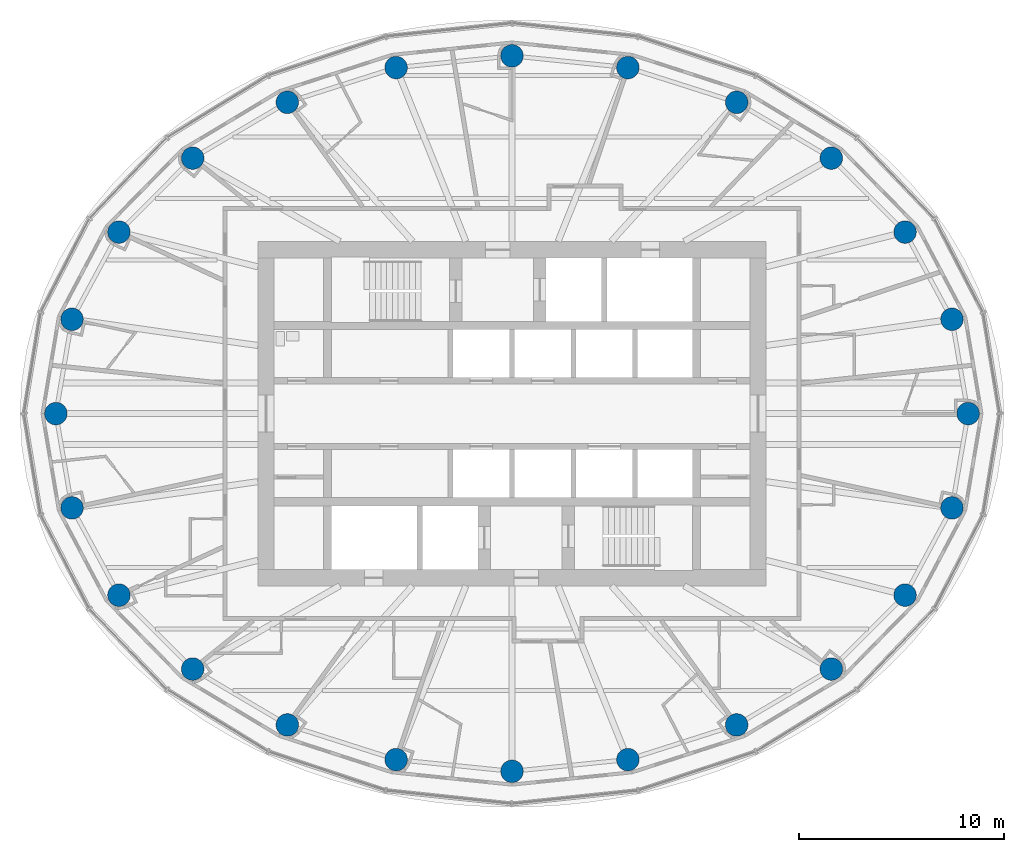
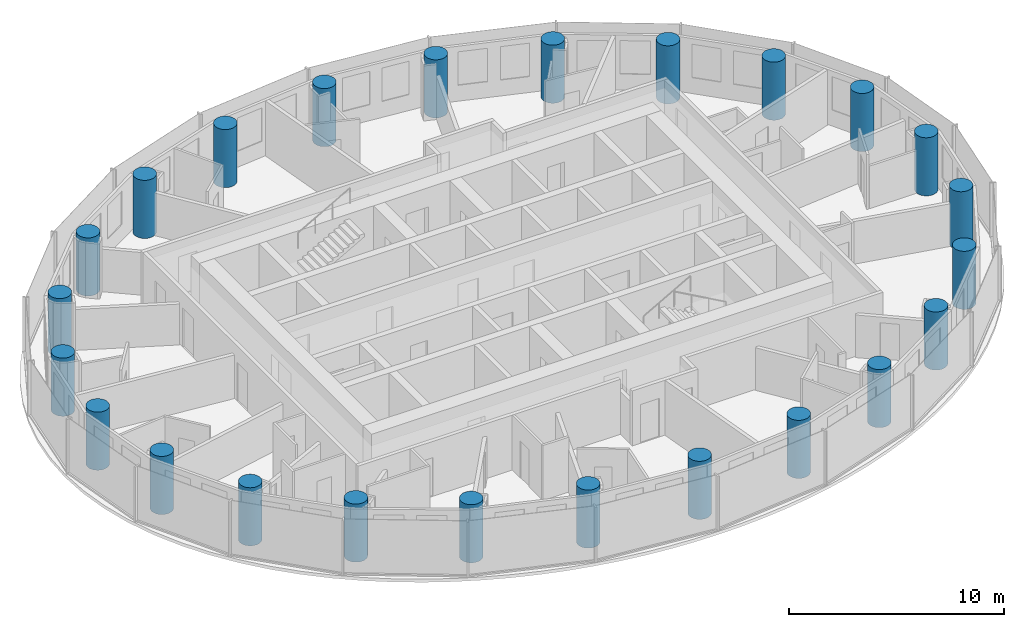
# One storey, part 1 of 14: 24 columns.
"""IFC4 building model written with IfcOpenShell, lengths in metres."""

import ifcopenshell
import ifcopenshell.guid

model = None  # the IFC model being written
_history = None  # IfcOwnerHistory: only IFC2X3 demands one
_inside = {}  # id of a spatial element -> (the spatial element, [elements in it])
_under = {}  # id of a project, library or spatial element -> (it, [spatial elements below it])
_declared = {}  # id of a project -> (the project, [libraries it declares])
_typed = {}  # id of a type object -> (the type object, [elements of that type])
_made_of = {}  # id of a material, layer set ... -> (it, [elements and type objects made of it])


def new_model(schema):
    """Start an empty IFC model of exactly this schema.

    Asked for "IFC4X3", IfcOpenShell would pick the latest addendum, in which some entities
    have other attributes; the version numbers below select the first issue.
    IFC2X3 requires an IfcOwnerHistory on every rooted entity: one is made here for all.
    """
    global model, _history
    if schema == "IFC4X3":
        model = ifcopenshell.file(schema_version=(4, 3, 0, 0))
    else:
        model = ifcopenshell.file(schema=schema)
    _inside.clear()
    _under.clear()
    _declared.clear()
    _typed.clear()
    _made_of.clear()
    _history = None
    if model.schema == "IFC2X3":
        org = make("IfcOrganization", Name="unknown")
        user = make(
            "IfcPersonAndOrganization",
            ThePerson=make("IfcPerson", FamilyName="unknown"),
            TheOrganization=org,
        )
        app = make(
            "IfcApplication",
            ApplicationDeveloper=org,
            Version="unknown",
            ApplicationFullName="unknown",
            ApplicationIdentifier="unknown",
        )
        _history = make(
            "IfcOwnerHistory",
            OwningUser=user,
            OwningApplication=app,
            ChangeAction="ADDED",
            CreationDate=0,
        )
    return model


def make(cls, **values):
    """One entity of the class cls with the attributes given. An attribute that is None is left unset."""
    return model.create_entity(
        cls, **{name: value for name, value in values.items() if value is not None}
    )


def rooted(cls, **values):
    """An entity with a GlobalId (a new one), such as an element, a storey or a relation."""
    return make(cls, GlobalId=ifcopenshell.guid.new(), OwnerHistory=_history, **values)


def si_unit(unit_type, name, prefix=None):
    """IfcSIUnit, for example si_unit("LENGTHUNIT", "METRE", prefix="MILLI")."""
    return make("IfcSIUnit", UnitType=unit_type, Prefix=prefix, Name=name)


def assignment(units):
    """IfcUnitAssignment: the units of a project."""
    return None if units is None else make("IfcUnitAssignment", Units=units)


def point(xyz):
    """IfcCartesianPoint."""
    return None if xyz is None else make("IfcCartesianPoint", Coordinates=xyz)


def direction(xyz):
    """IfcDirection."""
    return None if xyz is None else make("IfcDirection", DirectionRatios=xyz)


def frame(location, z_axis=None, x_axis=None):
    """IfcAxis2Placement3D, a coordinate frame: its origin and axes. An axis left out is left unset."""
    return make(
        "IfcAxis2Placement3D",
        Location=point(location),
        Axis=direction(z_axis),
        RefDirection=direction(x_axis),
    )


def frame_2d(location, x_axis=None):
    """IfcAxis2Placement2D, a coordinate frame in the plane: its origin and x axis."""
    return make(
        "IfcAxis2Placement2D", Location=point(location), RefDirection=direction(x_axis)
    )


def origin():
    """The frame at (0, 0, 0) with its axes left unset."""
    return frame((0.0, 0.0, 0.0))


def origin_2d():
    """The frame at (0, 0) in the plane with its x axis left unset."""
    return frame_2d((0.0, 0.0))


def place(relative_to, where):
    """IfcLocalPlacement: puts the frame where relative to a parent placement (None: the world)."""
    return make(
        "IfcLocalPlacement", PlacementRelTo=relative_to, RelativePlacement=where
    )


def context(
    kind, dimensions, precision=None, world=None, true_north=None, identifier=None
):
    """IfcGeometricRepresentationContext, for example the 3D "Model" context."""
    return make(
        "IfcGeometricRepresentationContext",
        ContextIdentifier=identifier,
        ContextType=kind,
        CoordinateSpaceDimension=dimensions,
        Precision=precision,
        WorldCoordinateSystem=world,
        TrueNorth=true_north,
    )


def subcontext(parent, identifier, kind, view, scale=None):
    """IfcGeometricRepresentationSubContext, for example "Body" below "Model"."""
    return make(
        "IfcGeometricRepresentationSubContext",
        ContextIdentifier=identifier,
        ContextType=kind,
        ParentContext=parent,
        TargetScale=scale,
        TargetView=view,
    )


def project(units=None, contexts=None):
    """IfcProject with its units and contexts."""
    return rooted(
        "IfcProject",
        Name="project",
        RepresentationContexts=contexts,
        UnitsInContext=assignment(units),
    )


def spatial(cls, under=None, at=None, **own):
    """A site, building, storey or space (cls), placed at a placement, below another one or the project."""
    s = rooted(cls, ObjectPlacement=at, **own)
    if under is not None:
        _under.setdefault(under.id(), (under, []))[1].append(s)
    return s


def profile(cls, at=None, kind="AREA", **sizes):
    """A parametric profile (cls). Its sizes go by their IFC names, for example OverallWidth=200.0."""
    return make(cls, ProfileType=kind, Position=at, **sizes)


def circle(**sizes):
    """IfcCircleProfileDef."""
    return profile("IfcCircleProfileDef", **sizes)


def extrude(swept, where, along, depth):
    """IfcExtrudedAreaSolid: the profile swept, set in the frame where, extruded along a direction by depth."""
    return make(
        "IfcExtrudedAreaSolid",
        SweptArea=swept,
        Position=where,
        ExtrudedDirection=direction(along),
        Depth=depth,
    )


def shape(context_of_items, identifier, shape_type, items):
    """IfcShapeRepresentation: the items that make up one representation, for example the "Body"."""
    return make(
        "IfcShapeRepresentation",
        ContextOfItems=context_of_items,
        RepresentationIdentifier=identifier,
        RepresentationType=shape_type,
        Items=items,
    )


def material(Name=None, Category=None):
    """IfcMaterial."""
    return make("IfcMaterial", Name=Name, Category=Category)


def material_profile(
    of_material, cross_section, Name=None, Category=None, Priority=None
):
    """IfcMaterialProfile: a cross section and its material."""
    return make(
        "IfcMaterialProfile",
        Name=Name,
        Material=of_material,
        Profile=cross_section,
        Priority=Priority,
        Category=Category,
    )


def profile_set(profiles, Name=None, composite=None):
    """IfcMaterialProfileSet."""
    return make(
        "IfcMaterialProfileSet",
        Name=Name,
        MaterialProfiles=profiles,
        CompositeProfile=composite,
    )


def made_of(thing, what):
    """Note that an element or type object is made of a material, layer set ...; save() writes the relation."""
    if what is not None:
        _made_of.setdefault(what.id(), (what, []))[1].append(thing)
    return thing


def type_object(cls, material=None, **own):
    """A type object (cls), such as IfcWallType, which elements share."""
    return made_of(rooted(cls, **own), material)


def element(
    cls,
    number,
    at=None,
    inside=None,
    cuts=None,
    type_object=None,
    material=None,
    context=None,
    identifier="Body",
    shape_type=None,
    held_by="IfcProductDefinitionShape",
    body=None,
    shapes=None,
    **own,
):
    """One element of the class cls, such as IfcWall. Its Tag is "e" and its number.

    at: its placement. inside: the storey or other place that contains it. cuts: it is an
    opening in that element (IfcRelVoidsElement). A single representation is given by context,
    identifier, shape_type and body (its items); several are given by shapes. held_by: the class
    of the entity that holds the representations. save() writes the other relations.
    """
    e = rooted(cls, Tag="e%d" % number, ObjectPlacement=at, **own)
    if body is not None:
        shapes = [shape(context, identifier, shape_type, body)]
    if shapes is not None:
        e.Representation = make(held_by, Representations=shapes)
    if inside is not None:
        _inside.setdefault(inside.id(), (inside, []))[1].append(e)
    if cuts is not None:
        rooted(
            "IfcRelVoidsElement", RelatingBuildingElement=cuts, RelatedOpeningElement=e
        )
    if type_object is not None:
        _typed.setdefault(type_object.id(), (type_object, []))[1].append(e)
    return made_of(e, material)


def aggregate(whole, parts):
    """IfcRelAggregates: a whole, such as a stair, and the parts it consists of."""
    return rooted("IfcRelAggregates", RelatingObject=whole, RelatedObjects=parts)


def save(model, path):
    """Write the relations noted so far, then the file.

    IfcRelAggregates (storeys below a building ...), IfcRelContainedInSpatialStructure (elements
    in a storey), IfcRelDefinesByType, IfcRelAssociatesMaterial and IfcRelDeclares: one each for
    every whole, place, type object, material and project.
    """
    for whole, parts in _under.values():
        aggregate(whole, parts)
    for where, things in _inside.values():
        rooted(
            "IfcRelContainedInSpatialStructure",
            RelatedElements=things,
            RelatingStructure=where,
        )
    for kind, things in _typed.values():
        rooted("IfcRelDefinesByType", RelatedObjects=things, RelatingType=kind)
    for what, things in _made_of.values():
        rooted("IfcRelAssociatesMaterial", RelatedObjects=things, RelatingMaterial=what)
    for by, libraries in _declared.values():
        rooted("IfcRelDeclares", RelatingContext=by, RelatedDefinitions=libraries)
    model.write(path)


model = new_model("IFC4")

# Units and contexts
model_context = context("Model", 3, precision=1e-05, world=origin(), true_north=direction((0.0, 1.0)))
body_context = subcontext(model_context, "Body", "Model", "MODEL_VIEW")
ifc_project = project(units=[si_unit("LENGTHUNIT", "METRE"), si_unit("AREAUNIT", "SQUARE_METRE"), si_unit("VOLUMEUNIT", "CUBIC_METRE"), si_unit("PLANEANGLEUNIT", "RADIAN"), si_unit("MASSUNIT", "GRAM", prefix="KILO")], contexts=[model_context])

# Site, building, storey
site_placement = place(None, origin())
site = spatial("IfcSite", under=ifc_project, at=site_placement, CompositionType="ELEMENT")
building_placement = place(site_placement, origin())
building = spatial("IfcBuilding", under=site, at=building_placement, Name="Hankou Lantern Tower", CompositionType="ELEMENT")
storey_placement = place(building_placement, frame((0.0, 0.0, 176.39990234375)))
storey = spatial("IfcBuildingStorey", under=building, at=storey_placement, Name="L47", CompositionType="ELEMENT", Elevation=176.39990234375)

# Columns
ifc_material = material(Name="Concrete C50", Category="concrete")
ifc_material_profile = material_profile(ifc_material, circle(Radius=0.550048828125, at=origin_2d()), Name="RC D1100")
ifc_profile_set = profile_set([ifc_material_profile], Name="Concrete C50")
column_type = type_object("IfcColumnType", Name="TC4 PERIMETER COLUMN RC D1100", PredefinedType="COLUMN", material=ifc_profile_set)
for number, where, z_axis, x_axis, name in (
    (1, (22.25, 0.0, 0.0), (0.0, 0.0, 1.0), (1.0, 0.0, 0.0), "Column R01 L47"),
    (2, (21.462646484375, 4.600830078125, 0.0), (0.0, 0.0, 1.0), (1.0, 0.0, 0.0), "Column R02 L47"),
    (3, (19.172119140625, 8.855224609375, 0.0), (0.0, 0.0, 1.0), (1.0, 0.0, 0.0), "Column R03 L47"),
    (4, (15.576171875, 12.4609375, 0.0), (0.0, 0.0, 1.0), (1.0, 0.0, 0.0), "Column R04 L47"),
    (5, (10.959716796875, 15.186279296875, 0.0), (0.0, 0.0, 1.0), (1.0, 0.0, 0.0), "Column R05 L47"),
    (6, (5.65283203125, 16.87744140625, 0.0), (0.0, 0.0, 1.0), (1.0, 0.0, 0.0), "Column R06 L47"),
    (7, (0.0, 17.449951171875, 0.0), (0.0, 0.0, 1.0), (1.0, 0.0, 0.0), "Column R07 L47"),
    (8, (-5.65283203125, 16.87744140625, 0.0), (0.0, 0.0, 1.0), (1.0, 0.0, 0.0), "Column R08 L47"),
    (9, (-10.959716796875, 15.186279296875, 0.0), (0.0, 0.0, 1.0), (1.0, 0.0, 0.0), "Column R09 L47"),
    (10, (-15.576171875, 12.4609375, 0.0), (0.0, 0.0, 1.0), (1.0, 0.0, 0.0), "Column R10 L47"),
    (11, (-19.172119140625, 8.855224609375, 0.0), (0.0, 0.0, 1.0), (1.0, 0.0, 0.0), "Column R11 L47"),
    (12, (-21.462646484375, 4.600830078125, 0.0), (0.0, 0.0, 1.0), (1.0, 0.0, 0.0), "Column R12 L47"),
    (13, (-22.25, 0.0, 0.0), (0.0, 0.0, 1.0), (1.0, 0.0, 0.0), "Column R13 L47"),
    (14, (-21.462646484375, -4.600830078125, 0.0), (0.0, 0.0, 1.0), (1.0, 0.0, 0.0), "Column R14 L47"),
    (15, (-19.172119140625, -8.855224609375, 0.0), (0.0, 0.0, 1.0), (1.0, 0.0, 0.0), "Column R15 L47"),
    (16, (-15.576171875, -12.4609375, 0.0), (0.0, 0.0, 1.0), (1.0, 0.0, 0.0), "Column R16 L47"),
    (17, (-10.959716796875, -15.186279296875, 0.0), (0.0, 0.0, 1.0), (1.0, 0.0, 0.0), "Column R17 L47"),
    (18, (-5.65283203125, -16.87744140625, 0.0), (0.0, 0.0, 1.0), (1.0, 0.0, 0.0), "Column R18 L47"),
    (19, (0.0, -17.449951171875, 0.0), (0.0, 0.0, 1.0), (1.0, 0.0, 0.0), "Column R19 L47"),
    (20, (5.65283203125, -16.87744140625, 0.0), (0.0, 0.0, 1.0), (1.0, 0.0, 0.0), "Column R20 L47"),
    (21, (10.959716796875, -15.186279296875, 0.0), (0.0, 0.0, 1.0), (1.0, 0.0, 0.0), "Column R21 L47"),
    (22, (15.576171875, -12.4609375, 0.0), (0.0, 0.0, 1.0), (1.0, 0.0, 0.0), "Column R22 L47"),
    (23, (19.172119140625, -8.855224609375, 0.0), (0.0, 0.0, 1.0), (1.0, 0.0, 0.0), "Column R23 L47"),
    (24, (21.462646484375, -4.600830078125, 0.0), (0.0, 0.0, 1.0), (1.0, 0.0, 0.0), "Column R24 L47"),
):
    element("IfcColumn", number, at=place(storey_placement, frame(where, z_axis=z_axis, x_axis=x_axis)), inside=storey, type_object=column_type, Name=name, PredefinedType="COLUMN", context=body_context, shape_type="SweptSolid", body=[
        extrude(circle(Radius=0.550048828125, at=origin_2d()), origin(), (0.0, 0.0, 1.0), 3.300048828125),
    ])

save(model, "model.ifc")
